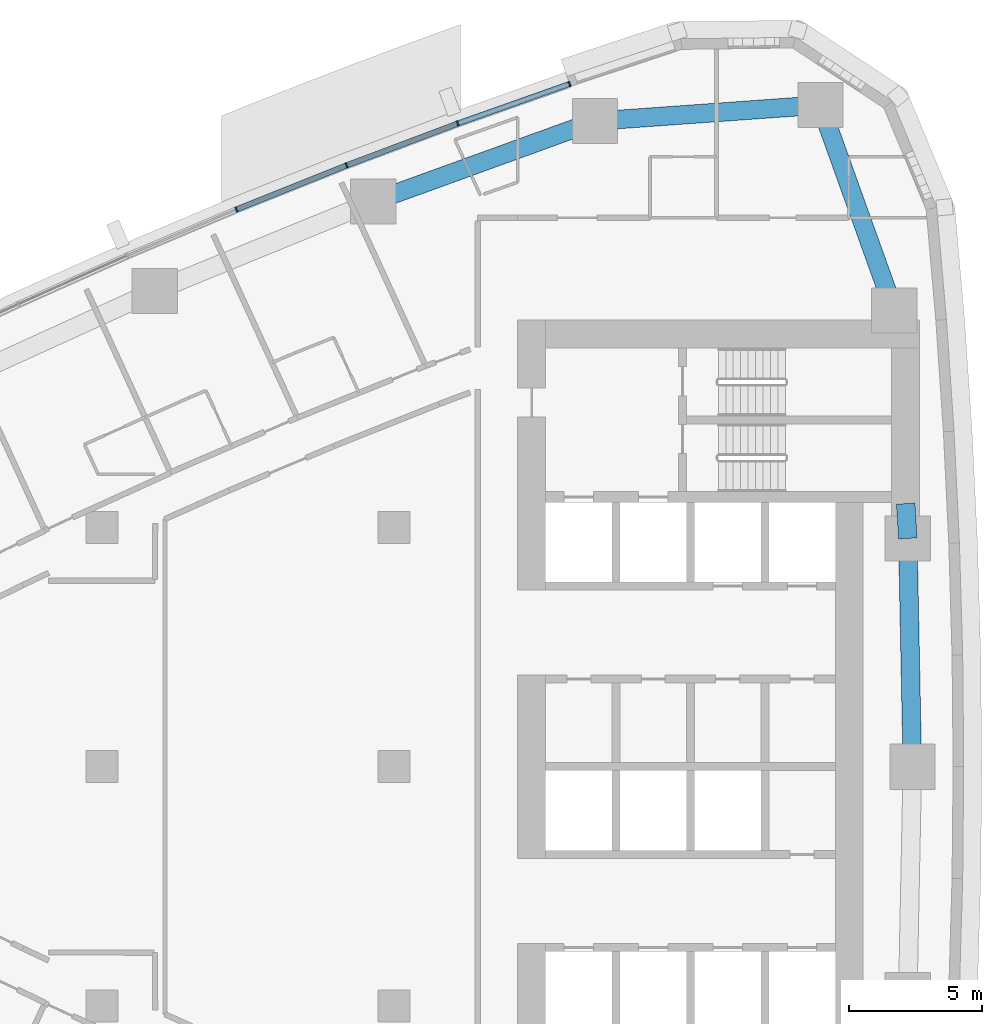
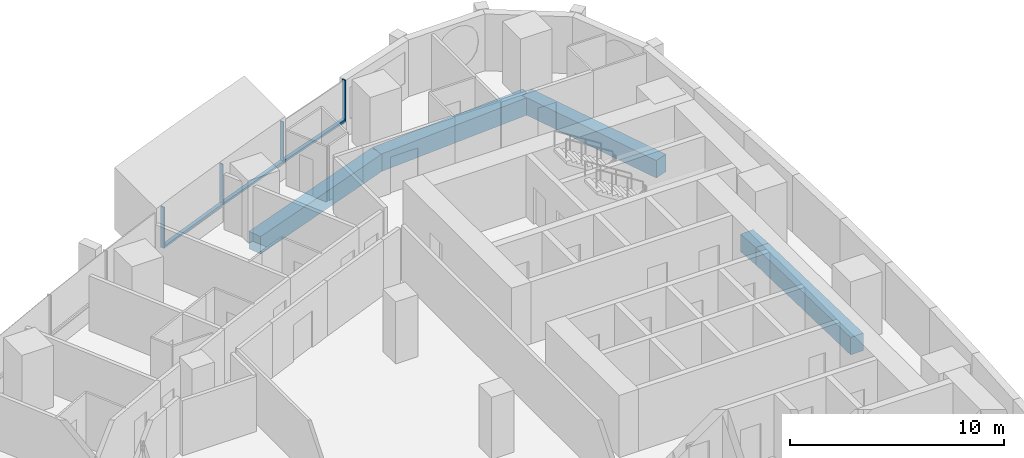
# One storey, part 6 of 17: 7 members, 5 beams, 2 elements without a shape of their own.
"""IFC4 building model written with IfcOpenShell, lengths in metres."""

from ifc_helpers import new_model, si_unit, direction, frame, origin, origin_2d, place, context, subcontext, project, spatial, rectangle, extrude, material, layer, layer_set, material_profile, profile_set, type_object, element, aggregate, save


model = new_model("IFC4")

# Units and contexts
model_context = context("Model", 3, precision=1e-05, world=origin(), true_north=direction((0.0, 1.0)))
body_context = subcontext(model_context, "Body", "Model", "MODEL_VIEW")
ifc_project = project(units=[si_unit("LENGTHUNIT", "METRE"), si_unit("AREAUNIT", "SQUARE_METRE"), si_unit("VOLUMEUNIT", "CUBIC_METRE"), si_unit("PLANEANGLEUNIT", "RADIAN"), si_unit("MASSUNIT", "GRAM", prefix="KILO")], contexts=[model_context])

# Site, building, storey
site_placement = place(None, origin())
site = spatial("IfcSite", under=ifc_project, at=site_placement, CompositionType="ELEMENT")
building_placement = place(site_placement, origin())
building = spatial("IfcBuilding", under=site, at=building_placement, Name="Ostrand Prow Hotel Tower", CompositionType="ELEMENT")
storey_placement = place(building_placement, frame((0.0, 0.0, 116.85009765625)))
storey = spatial("IfcBuildingStorey", under=building, at=storey_placement, Name="L28", CompositionType="ELEMENT", Elevation=116.85009765625)

# Beams
ifc_material_1 = material(Name="Concrete C80/95", Category="concrete")
ifc_material_profile_1 = material_profile(ifc_material_1, rectangle(XDim=0.699951171875, YDim=1.0, at=origin_2d()), Name="RC 700x1000")
ifc_profile_set_1 = profile_set([ifc_material_profile_1], Name="Concrete C80/95")
beam_type = type_object("IfcBeamType", Name="Edge beam 700x1000 C80/95", PredefinedType="SPANDREL", material=ifc_profile_set_1)
beam_1_placement = place(storey_placement, frame((64.5, 0.0, -0.800048828125), z_axis=(-0.019922705812, 0.9998015232, 0.0), x_axis=(-0.9998015232, -0.019922705812, 0.0)))
element("IfcBeam", 1, at=beam_1_placement, inside=storey, type_object=beam_type, Name="Edge beam B3-B4", PredefinedType="SPANDREL", context=body_context, shape_type="SweptSolid", body=[
    extrude(rectangle(XDim=0.699951171875, YDim=1.0, at=origin_2d()), origin(), (0.0, 0.0, 1.0), 8.59033203125),
])
beam_2_placement = place(storey_placement, frame((64.328857421875, 8.588623046875, -0.800048828125), z_axis=(-0.059658953766, 0.998218818314, 0.0), x_axis=(-0.998218818314, -0.059658953766, 0.0)))
element("IfcBeam", 2, at=beam_2_placement, inside=storey, type_object=beam_type, Name="Edge beam B4-B5", PredefinedType="SPANDREL", context=body_context, shape_type="SweptSolid", body=[
    extrude(rectangle(XDim=0.699951171875, YDim=1.0, at=origin_2d()), origin(), (0.0, 0.0, 1.0), 1.313720703125),
])
beam_3_placement = place(storey_placement, frame((63.815673828125, 17.16357421875, -0.800048828125), z_axis=(-0.337815484063, 0.941212355809, 0.0), x_axis=(-0.941212355809, -0.337815484063, 0.0)))
element("IfcBeam", 3, at=beam_3_placement, inside=storey, type_object=beam_type, Name="Edge beam B5-NE", PredefinedType="SPANDREL", context=body_context, shape_type="SweptSolid", body=[
    extrude(rectangle(XDim=0.699951171875, YDim=1.0, at=origin_2d()), origin(), (0.0, 0.0, 1.0), 8.21630859375),
])
beam_4_placement = place(storey_placement, frame((61.0400390625, 24.89697265625, -0.800048828125), z_axis=(-0.99747195063, -0.071061295414, 0.0), x_axis=(0.071061295414, -0.99747195063, 0.0)))
element("IfcBeam", 4, at=beam_4_placement, inside=storey, type_object=beam_type, Name="Edge beam NE-N1", PredefinedType="SPANDREL", context=body_context, shape_type="SweptSolid", body=[
    extrude(rectangle(XDim=0.699951171875, YDim=1.0, at=origin_2d()), origin(), (0.0, 0.0, 1.0), 8.499755859375),
])
beam_5_placement = place(storey_placement, frame((52.561767578125, 24.29296875, -0.800048828125), z_axis=(-0.940062739321, -0.341001533927, 0.0), x_axis=(0.341001533927, -0.940062739321, 0.0)))
element("IfcBeam", 5, at=beam_5_placement, inside=storey, type_object=beam_type, Name="Edge beam N1-N2", PredefinedType="SPANDREL", context=body_context, shape_type="SweptSolid", body=[
    extrude(rectangle(XDim=0.699951171875, YDim=1.0, at=origin_2d()), origin(), (0.0, 0.0, 1.0), 8.883544921875),
])

# Curtain wall, members
ifc_material_2 = material(Name="Insulated glass in bronze anodised frame", Category="glass")
ifc_layer = layer(ifc_material_2, 0.199951171875)
ifc_layer_set = layer_set([ifc_layer], Name="Insulated glass in bronze anodised frame")
curtain_wall_type = type_object("IfcCurtainWallType", Name="Strip curtain wall, fritted glass over bronze spandrel", PredefinedType="NOTDEFINED", material=ifc_layer_set)
curtain_wall_1_placement = place(storey_placement, origin())
curtain_wall_1 = element("IfcCurtainWall", 6, at=curtain_wall_1_placement, inside=storey, type_object=curtain_wall_type, Name="CW1 run CWN1", PredefinedType="NOTDEFINED")
ifc_material_3 = material(Name="Bronze anodised aluminium", Category="aluminium")
ifc_material_profile_2 = material_profile(ifc_material_3, rectangle(XDim=0.199951171875, YDim=0.06005859375, at=origin_2d()), Name="Mullion 60x200 bronze anodised aluminium")
ifc_profile_set_2 = profile_set([ifc_material_profile_2], Name="Bronze anodised aluminium")
member_type_1 = type_object("IfcMemberType", Name="Mullion 60x200 bronze anodised aluminium", PredefinedType="MULLION", material=ifc_profile_set_2)
member_1_placement = place(storey_placement, frame((51.601318359375, 25.692138671875, 0.89990234375), z_axis=(0.0, 0.0, 1.0), x_axis=(0.333495894542, -0.942751551748, 0.0)))
member_1 = element("IfcMember", 7, at=member_1_placement, type_object=member_type_1, Name="CW1 mullion 1", PredefinedType="MULLION", context=body_context, shape_type="SweptSolid", body=[
    extrude(rectangle(XDim=0.199951171875, YDim=0.06005859375, at=origin_2d()), origin(), (0.0, 0.0, 1.0), 2.35009765625),
])
member_2_placement = place(storey_placement, frame((47.390869140625, 24.202880859375, 0.89990234375), z_axis=(0.0, 0.0, 1.0), x_axis=(0.35230885193, -0.935883792387, 0.0)))
member_2 = element("IfcMember", 8, at=member_2_placement, type_object=member_type_1, Name="CW1 mullion 2", PredefinedType="MULLION", context=body_context, shape_type="SweptSolid", body=[
    extrude(rectangle(XDim=0.199951171875, YDim=0.06005859375, at=origin_2d()), origin(), (0.0, 0.0, 1.0), 2.35009765625),
])
member_3_placement = place(storey_placement, frame((43.211181640625, 22.62939453125, 0.89990234375), z_axis=(0.0, 0.0, 1.0), x_axis=(0.35230885193, -0.935883792387, 0.0)))
member_3 = element("IfcMember", 9, at=member_3_placement, type_object=member_type_1, Name="CW1 mullion 3", PredefinedType="MULLION", context=body_context, shape_type="SweptSolid", body=[
    extrude(rectangle(XDim=0.199951171875, YDim=0.06005859375, at=origin_2d()), origin(), (0.0, 0.0, 1.0), 2.35009765625),
])

# Curtain wall, member
curtain_wall_2_placement = place(storey_placement, origin())
curtain_wall_2 = element("IfcCurtainWall", 10, at=curtain_wall_2_placement, inside=storey, type_object=curtain_wall_type, Name="CW1 run CWN2", PredefinedType="NOTDEFINED")
member_4_placement = place(storey_placement, frame((39.06396484375, 20.97265625, 0.89990234375), z_axis=(0.0, 0.0, 1.0), x_axis=(0.389506566255, -0.921023688536, 0.0)))
member_4 = element("IfcMember", 11, at=member_4_placement, type_object=member_type_1, Name="CW1 mullion 2", PredefinedType="MULLION", context=body_context, shape_type="SweptSolid", body=[
    extrude(rectangle(XDim=0.199951171875, YDim=0.06005859375, at=origin_2d()), origin(), (0.0, 0.0, 1.0), 2.35009765625),
])

# Member
ifc_material_4 = material(Name="Bronze anodised aluminium", Category="aluminium")
ifc_material_profile_3 = material_profile(ifc_material_4, rectangle(XDim=0.199951171875, YDim=0.1201171875, at=origin_2d()), Name="Transom 120x200 bronze anodised aluminium")
ifc_profile_set_3 = profile_set([ifc_material_profile_3], Name="Bronze anodised aluminium")
member_type_2 = type_object("IfcMemberType", Name="Transom 120x200 bronze anodised aluminium", PredefinedType="USERDEFINED", material=ifc_profile_set_3)
member_5_placement = place(storey_placement, frame((51.572998046875, 25.68212890625, 0.9599609375), z_axis=(-0.942763014139, -0.333463490013, 0.0), x_axis=(0.333463490013, -0.942763014139, 0.0)))
member_5 = element("IfcMember", 12, at=member_5_placement, type_object=member_type_2, Name="CW1 transom 1.1", ObjectType="TRANSOM", PredefinedType="USERDEFINED", context=body_context, shape_type="SweptSolid", body=[
    extrude(rectangle(XDim=0.199951171875, YDim=0.1201171875, at=origin_2d()), origin(), (0.0, 0.0, 1.0), 4.406005859375),
])

member_6_placement = place(storey_placement, frame((47.36279296875, 24.1923828125, 0.9599609375), z_axis=(-0.935868398429, -0.352349742191, 0.0), x_axis=(0.352349742191, -0.935868398429, 0.0)))
member_6 = element("IfcMember", 13, at=member_6_placement, type_object=member_type_2, Name="CW1 transom 2.1", ObjectType="TRANSOM", PredefinedType="USERDEFINED", context=body_context, shape_type="SweptSolid", body=[
    extrude(rectangle(XDim=0.199951171875, YDim=0.1201171875, at=origin_2d()), origin(), (0.0, 0.0, 1.0), 4.406005859375),
])

aggregate(curtain_wall_1, [member_1, member_2, member_3, member_5, member_6])

member_7_placement = place(storey_placement, frame((43.183349609375, 22.618408203125, 0.9599609375), z_axis=(-0.928621833209, -0.371027614724, 0.0), x_axis=(0.371027614724, -0.928621833209, 0.0)))
member_7 = element("IfcMember", 14, at=member_7_placement, type_object=member_type_2, Name="CW1 transom 1.1", ObjectType="TRANSOM", PredefinedType="USERDEFINED", context=body_context, shape_type="SweptSolid", body=[
    extrude(rectangle(XDim=0.199951171875, YDim=0.1201171875, at=origin_2d()), origin(), (0.0, 0.0, 1.0), 4.406005859375),
])

aggregate(curtain_wall_2, [member_4, member_7])

save(model, "model.ifc")
